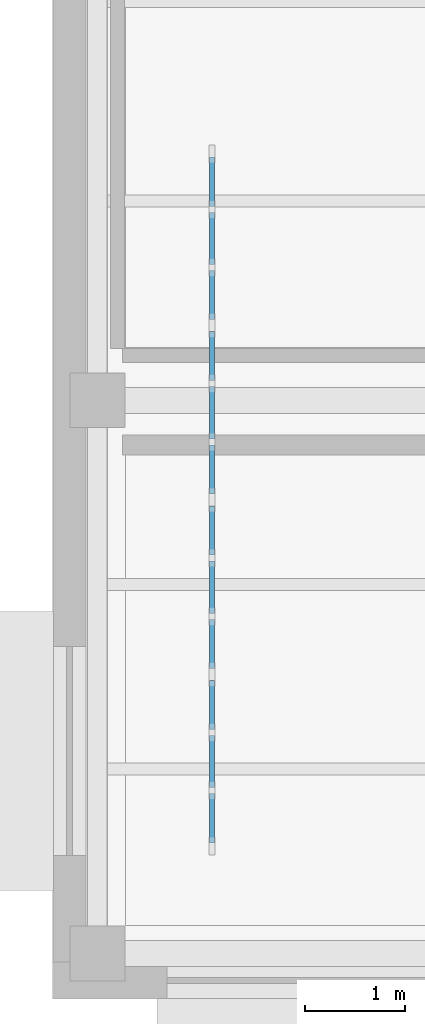
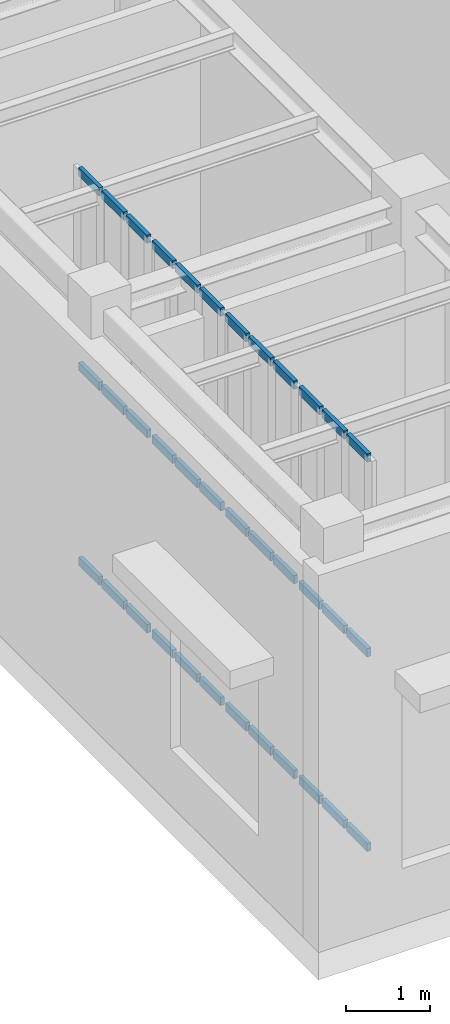
# One storey, part 51 of 118: 36 members, 4 elements without a shape of their own.
"""IFC4 building model written with IfcOpenShell, lengths in metres."""

from ifc_helpers import new_model, si_unit, direction, frame, origin, origin_2d, place, context, subcontext, project, spatial, rectangle, extrude, material, material_profile, profile_set, type_object, element, aggregate, save


model = new_model("IFC4")

# Units and contexts
model_context = context("Model", 3, precision=1e-05, world=origin(), true_north=direction((0.0, 1.0)))
body_context = subcontext(model_context, "Body", "Model", "MODEL_VIEW")
ifc_project = project(units=[si_unit("LENGTHUNIT", "METRE"), si_unit("AREAUNIT", "SQUARE_METRE"), si_unit("VOLUMEUNIT", "CUBIC_METRE"), si_unit("PLANEANGLEUNIT", "RADIAN"), si_unit("MASSUNIT", "GRAM", prefix="KILO")], contexts=[model_context])

# Site, building, storey
site_placement = place(None, origin())
site = spatial("IfcSite", under=ifc_project, at=site_placement, CompositionType="ELEMENT")
building_placement = place(site_placement, origin())
building = spatial("IfcBuilding", under=site, at=building_placement, Name="Kolvaren Corner Interchange", CompositionType="ELEMENT")
storey_placement = place(building_placement, origin())
storey = spatial("IfcBuildingStorey", under=building, at=storey_placement, Name="L01", CompositionType="ELEMENT", Elevation=0.0)

# Curtain wall, members
ifc_material_1 = material(Name="Unitised Aluminium and Solar-Control Glass Curtain Wall", Category="aluminium")
curtain_wall_type = type_object("IfcCurtainWallType", Name="CW-V5-LOGGIA", PredefinedType="NOTDEFINED", material=ifc_material_1)
curtain_wall_1_placement = place(storey_placement, origin())
curtain_wall_1 = element("IfcCurtainWall", 1, at=curtain_wall_1_placement, inside=storey, type_object=curtain_wall_type, Name="Corner Loggia L01 Curtain Wall Bay 01", PredefinedType="NOTDEFINED")
ifc_material_2 = material(Name="Anodised Aluminium Framing", Category="aluminium")
ifc_material_profile = material_profile(ifc_material_2, rectangle(XDim=0.054931640625, YDim=0.1201171875, at=origin_2d()), Name="ALU 55x120")
ifc_profile_set = profile_set([ifc_material_profile], Name="Anodised Aluminium Framing")
member_type = type_object("IfcMemberType", Name="TRN-ALU55x120", PredefinedType="USERDEFINED", material=ifc_profile_set)
member_1_placement = place(storey_placement, frame((1.60009765625, 1.56005859375, 0.027587890625), z_axis=(0.0, 1.0, 0.0), x_axis=(-1.0, 0.0, 0.0)))
member_1 = element("IfcMember", 2, at=member_1_placement, type_object=member_type, Name="CW-150 transom 1.1", ObjectType="TRANSOM", PredefinedType="USERDEFINED", context=body_context, shape_type="SweptSolid", body=[
    extrude(rectangle(XDim=0.054931640625, YDim=0.1201171875, at=origin_2d()), origin(), (0.0, 0.0, 1.0), 0.4931640625),
])
member_2_placement = place(storey_placement, frame((1.60009765625, 1.56005859375, 2.860107421875), z_axis=(0.0, 1.0, 0.0), x_axis=(-1.0, 0.0, 0.0)))
member_2 = element("IfcMember", 3, at=member_2_placement, type_object=member_type, Name="CW-150 transom 1.2", ObjectType="TRANSOM", PredefinedType="USERDEFINED", context=body_context, shape_type="SweptSolid", body=[
    extrude(rectangle(XDim=0.054931640625, YDim=0.1201171875, at=origin_2d()), origin(), (0.0, 0.0, 1.0), 0.4931640625),
])
member_3_placement = place(storey_placement, frame((1.60009765625, 1.56005859375, 5.6923828125), z_axis=(0.0, 1.0, 0.0), x_axis=(-1.0, 0.0, 0.0)))
member_3 = element("IfcMember", 4, at=member_3_placement, type_object=member_type, Name="CW-150 transom 1.3", ObjectType="TRANSOM", PredefinedType="USERDEFINED", context=body_context, shape_type="SweptSolid", body=[
    extrude(rectangle(XDim=0.054931640625, YDim=0.1201171875, at=origin_2d()), origin(), (0.0, 0.0, 1.0), 0.4931640625),
])
member_4_placement = place(storey_placement, frame((1.60009765625, 2.11328125, 0.027587890625), z_axis=(0.0, 1.0, 0.0), x_axis=(-1.0, 0.0, 0.0)))
member_4 = element("IfcMember", 5, at=member_4_placement, type_object=member_type, Name="CW-150 transom 2.1", ObjectType="TRANSOM", PredefinedType="USERDEFINED", context=body_context, shape_type="SweptSolid", body=[
    extrude(rectangle(XDim=0.054931640625, YDim=0.1201171875, at=origin_2d()), origin(), (0.0, 0.0, 1.0), 0.5234375),
])
member_5_placement = place(storey_placement, frame((1.60009765625, 2.11328125, 2.860107421875), z_axis=(0.0, 1.0, 0.0), x_axis=(-1.0, 0.0, 0.0)))
member_5 = element("IfcMember", 6, at=member_5_placement, type_object=member_type, Name="CW-150 transom 2.2", ObjectType="TRANSOM", PredefinedType="USERDEFINED", context=body_context, shape_type="SweptSolid", body=[
    extrude(rectangle(XDim=0.054931640625, YDim=0.1201171875, at=origin_2d()), origin(), (0.0, 0.0, 1.0), 0.5234375),
])
member_6_placement = place(storey_placement, frame((1.60009765625, 2.11328125, 5.6923828125), z_axis=(0.0, 1.0, 0.0), x_axis=(-1.0, 0.0, 0.0)))
member_6 = element("IfcMember", 7, at=member_6_placement, type_object=member_type, Name="CW-150 transom 2.3", ObjectType="TRANSOM", PredefinedType="USERDEFINED", context=body_context, shape_type="SweptSolid", body=[
    extrude(rectangle(XDim=0.054931640625, YDim=0.1201171875, at=origin_2d()), origin(), (0.0, 0.0, 1.0), 0.5234375),
])
member_7_placement = place(storey_placement, frame((1.60009765625, 2.69677734375, 0.027587890625), z_axis=(0.0, 1.0, 0.0), x_axis=(-1.0, 0.0, 0.0)))
member_7 = element("IfcMember", 8, at=member_7_placement, type_object=member_type, Name="CW-150 transom 3.1", ObjectType="TRANSOM", PredefinedType="USERDEFINED", context=body_context, shape_type="SweptSolid", body=[
    extrude(rectangle(XDim=0.054931640625, YDim=0.1201171875, at=origin_2d()), origin(), (0.0, 0.0, 1.0), 0.4931640625),
])
member_8_placement = place(storey_placement, frame((1.60009765625, 2.69677734375, 2.860107421875), z_axis=(0.0, 1.0, 0.0), x_axis=(-1.0, 0.0, 0.0)))
member_8 = element("IfcMember", 9, at=member_8_placement, type_object=member_type, Name="CW-150 transom 3.2", ObjectType="TRANSOM", PredefinedType="USERDEFINED", context=body_context, shape_type="SweptSolid", body=[
    extrude(rectangle(XDim=0.054931640625, YDim=0.1201171875, at=origin_2d()), origin(), (0.0, 0.0, 1.0), 0.4931640625),
])
member_9_placement = place(storey_placement, frame((1.60009765625, 2.69677734375, 5.6923828125), z_axis=(0.0, 1.0, 0.0), x_axis=(-1.0, 0.0, 0.0)))
member_9 = element("IfcMember", 10, at=member_9_placement, type_object=member_type, Name="CW-150 transom 3.3", ObjectType="TRANSOM", PredefinedType="USERDEFINED", context=body_context, shape_type="SweptSolid", body=[
    extrude(rectangle(XDim=0.054931640625, YDim=0.1201171875, at=origin_2d()), origin(), (0.0, 0.0, 1.0), 0.4931640625),
])
aggregate(curtain_wall_1, [member_1, member_2, member_3, member_4, member_5, member_6, member_7, member_8, member_9])

curtain_wall_2_placement = place(storey_placement, origin())
curtain_wall_2 = element("IfcCurtainWall", 11, at=curtain_wall_2_placement, inside=storey, type_object=curtain_wall_type, Name="Corner Loggia L01 Curtain Wall Bay 02", PredefinedType="NOTDEFINED")
member_10_placement = place(storey_placement, frame((1.60009765625, 3.31005859375, 0.027587890625), z_axis=(0.0, 1.0, 0.0), x_axis=(-1.0, 0.0, 0.0)))
member_10 = element("IfcMember", 12, at=member_10_placement, type_object=member_type, Name="CW-151 transom 1.1", ObjectType="TRANSOM", PredefinedType="USERDEFINED", context=body_context, shape_type="SweptSolid", body=[
    extrude(rectangle(XDim=0.054931640625, YDim=0.1201171875, at=origin_2d()), origin(), (0.0, 0.0, 1.0), 0.4931640625),
])
member_11_placement = place(storey_placement, frame((1.60009765625, 3.31005859375, 2.860107421875), z_axis=(0.0, 1.0, 0.0), x_axis=(-1.0, 0.0, 0.0)))
member_11 = element("IfcMember", 13, at=member_11_placement, type_object=member_type, Name="CW-151 transom 1.2", ObjectType="TRANSOM", PredefinedType="USERDEFINED", context=body_context, shape_type="SweptSolid", body=[
    extrude(rectangle(XDim=0.054931640625, YDim=0.1201171875, at=origin_2d()), origin(), (0.0, 0.0, 1.0), 0.4931640625),
])
member_12_placement = place(storey_placement, frame((1.60009765625, 3.31005859375, 5.6923828125), z_axis=(0.0, 1.0, 0.0), x_axis=(-1.0, 0.0, 0.0)))
member_12 = element("IfcMember", 14, at=member_12_placement, type_object=member_type, Name="CW-151 transom 1.3", ObjectType="TRANSOM", PredefinedType="USERDEFINED", context=body_context, shape_type="SweptSolid", body=[
    extrude(rectangle(XDim=0.054931640625, YDim=0.1201171875, at=origin_2d()), origin(), (0.0, 0.0, 1.0), 0.4931640625),
])
member_13_placement = place(storey_placement, frame((1.60009765625, 3.86328125, 0.027587890625), z_axis=(0.0, 1.0, 0.0), x_axis=(-1.0, 0.0, 0.0)))
member_13 = element("IfcMember", 15, at=member_13_placement, type_object=member_type, Name="CW-151 transom 2.1", ObjectType="TRANSOM", PredefinedType="USERDEFINED", context=body_context, shape_type="SweptSolid", body=[
    extrude(rectangle(XDim=0.054931640625, YDim=0.1201171875, at=origin_2d()), origin(), (0.0, 0.0, 1.0), 0.5234375),
])
member_14_placement = place(storey_placement, frame((1.60009765625, 3.86328125, 2.860107421875), z_axis=(0.0, 1.0, 0.0), x_axis=(-1.0, 0.0, 0.0)))
member_14 = element("IfcMember", 16, at=member_14_placement, type_object=member_type, Name="CW-151 transom 2.2", ObjectType="TRANSOM", PredefinedType="USERDEFINED", context=body_context, shape_type="SweptSolid", body=[
    extrude(rectangle(XDim=0.054931640625, YDim=0.1201171875, at=origin_2d()), origin(), (0.0, 0.0, 1.0), 0.5234375),
])
member_15_placement = place(storey_placement, frame((1.60009765625, 3.86328125, 5.6923828125), z_axis=(0.0, 1.0, 0.0), x_axis=(-1.0, 0.0, 0.0)))
member_15 = element("IfcMember", 17, at=member_15_placement, type_object=member_type, Name="CW-151 transom 2.3", ObjectType="TRANSOM", PredefinedType="USERDEFINED", context=body_context, shape_type="SweptSolid", body=[
    extrude(rectangle(XDim=0.054931640625, YDim=0.1201171875, at=origin_2d()), origin(), (0.0, 0.0, 1.0), 0.5234375),
])
member_16_placement = place(storey_placement, frame((1.60009765625, 4.44677734375, 0.027587890625), z_axis=(0.0, 1.0, 0.0), x_axis=(-1.0, 0.0, 0.0)))
member_16 = element("IfcMember", 18, at=member_16_placement, type_object=member_type, Name="CW-151 transom 3.1", ObjectType="TRANSOM", PredefinedType="USERDEFINED", context=body_context, shape_type="SweptSolid", body=[
    extrude(rectangle(XDim=0.054931640625, YDim=0.1201171875, at=origin_2d()), origin(), (0.0, 0.0, 1.0), 0.4931640625),
])
member_17_placement = place(storey_placement, frame((1.60009765625, 4.44677734375, 2.860107421875), z_axis=(0.0, 1.0, 0.0), x_axis=(-1.0, 0.0, 0.0)))
member_17 = element("IfcMember", 19, at=member_17_placement, type_object=member_type, Name="CW-151 transom 3.2", ObjectType="TRANSOM", PredefinedType="USERDEFINED", context=body_context, shape_type="SweptSolid", body=[
    extrude(rectangle(XDim=0.054931640625, YDim=0.1201171875, at=origin_2d()), origin(), (0.0, 0.0, 1.0), 0.4931640625),
])
member_18_placement = place(storey_placement, frame((1.60009765625, 4.44677734375, 5.6923828125), z_axis=(0.0, 1.0, 0.0), x_axis=(-1.0, 0.0, 0.0)))
member_18 = element("IfcMember", 20, at=member_18_placement, type_object=member_type, Name="CW-151 transom 3.3", ObjectType="TRANSOM", PredefinedType="USERDEFINED", context=body_context, shape_type="SweptSolid", body=[
    extrude(rectangle(XDim=0.054931640625, YDim=0.1201171875, at=origin_2d()), origin(), (0.0, 0.0, 1.0), 0.4931640625),
])
aggregate(curtain_wall_2, [member_10, member_11, member_12, member_13, member_14, member_15, member_16, member_17, member_18])

curtain_wall_3_placement = place(storey_placement, origin())
curtain_wall_3 = element("IfcCurtainWall", 21, at=curtain_wall_3_placement, inside=storey, type_object=curtain_wall_type, Name="Corner Loggia L01 Curtain Wall Bay 03", PredefinedType="NOTDEFINED")
member_19_placement = place(storey_placement, frame((1.60009765625, 5.06005859375, 0.027587890625), z_axis=(0.0, 1.0, 0.0), x_axis=(-1.0, 0.0, 0.0)))
member_19 = element("IfcMember", 22, at=member_19_placement, type_object=member_type, Name="CW-152 transom 1.1", ObjectType="TRANSOM", PredefinedType="USERDEFINED", context=body_context, shape_type="SweptSolid", body=[
    extrude(rectangle(XDim=0.054931640625, YDim=0.1201171875, at=origin_2d()), origin(), (0.0, 0.0, 1.0), 0.4931640625),
])
member_20_placement = place(storey_placement, frame((1.60009765625, 5.06005859375, 2.860107421875), z_axis=(0.0, 1.0, 0.0), x_axis=(-1.0, 0.0, 0.0)))
member_20 = element("IfcMember", 23, at=member_20_placement, type_object=member_type, Name="CW-152 transom 1.2", ObjectType="TRANSOM", PredefinedType="USERDEFINED", context=body_context, shape_type="SweptSolid", body=[
    extrude(rectangle(XDim=0.054931640625, YDim=0.1201171875, at=origin_2d()), origin(), (0.0, 0.0, 1.0), 0.4931640625),
])
member_21_placement = place(storey_placement, frame((1.60009765625, 5.06005859375, 5.6923828125), z_axis=(0.0, 1.0, 0.0), x_axis=(-1.0, 0.0, 0.0)))
member_21 = element("IfcMember", 24, at=member_21_placement, type_object=member_type, Name="CW-152 transom 1.3", ObjectType="TRANSOM", PredefinedType="USERDEFINED", context=body_context, shape_type="SweptSolid", body=[
    extrude(rectangle(XDim=0.054931640625, YDim=0.1201171875, at=origin_2d()), origin(), (0.0, 0.0, 1.0), 0.4931640625),
])
member_22_placement = place(storey_placement, frame((1.60009765625, 5.61328125, 0.027587890625), z_axis=(0.0, 1.0, 0.0), x_axis=(-1.0, 0.0, 0.0)))
member_22 = element("IfcMember", 25, at=member_22_placement, type_object=member_type, Name="CW-152 transom 2.1", ObjectType="TRANSOM", PredefinedType="USERDEFINED", context=body_context, shape_type="SweptSolid", body=[
    extrude(rectangle(XDim=0.054931640625, YDim=0.1201171875, at=origin_2d()), origin(), (0.0, 0.0, 1.0), 0.5234375),
])
member_23_placement = place(storey_placement, frame((1.60009765625, 5.61328125, 2.860107421875), z_axis=(0.0, 1.0, 0.0), x_axis=(-1.0, 0.0, 0.0)))
member_23 = element("IfcMember", 26, at=member_23_placement, type_object=member_type, Name="CW-152 transom 2.2", ObjectType="TRANSOM", PredefinedType="USERDEFINED", context=body_context, shape_type="SweptSolid", body=[
    extrude(rectangle(XDim=0.054931640625, YDim=0.1201171875, at=origin_2d()), origin(), (0.0, 0.0, 1.0), 0.5234375),
])
member_24_placement = place(storey_placement, frame((1.60009765625, 5.61328125, 5.6923828125), z_axis=(0.0, 1.0, 0.0), x_axis=(-1.0, 0.0, 0.0)))
member_24 = element("IfcMember", 27, at=member_24_placement, type_object=member_type, Name="CW-152 transom 2.3", ObjectType="TRANSOM", PredefinedType="USERDEFINED", context=body_context, shape_type="SweptSolid", body=[
    extrude(rectangle(XDim=0.054931640625, YDim=0.1201171875, at=origin_2d()), origin(), (0.0, 0.0, 1.0), 0.5234375),
])
member_25_placement = place(storey_placement, frame((1.60009765625, 6.19677734375, 0.027587890625), z_axis=(0.0, 1.0, 0.0), x_axis=(-1.0, 0.0, 0.0)))
member_25 = element("IfcMember", 28, at=member_25_placement, type_object=member_type, Name="CW-152 transom 3.1", ObjectType="TRANSOM", PredefinedType="USERDEFINED", context=body_context, shape_type="SweptSolid", body=[
    extrude(rectangle(XDim=0.054931640625, YDim=0.1201171875, at=origin_2d()), origin(), (0.0, 0.0, 1.0), 0.4931640625),
])
member_26_placement = place(storey_placement, frame((1.60009765625, 6.19677734375, 2.860107421875), z_axis=(0.0, 1.0, 0.0), x_axis=(-1.0, 0.0, 0.0)))
member_26 = element("IfcMember", 29, at=member_26_placement, type_object=member_type, Name="CW-152 transom 3.2", ObjectType="TRANSOM", PredefinedType="USERDEFINED", context=body_context, shape_type="SweptSolid", body=[
    extrude(rectangle(XDim=0.054931640625, YDim=0.1201171875, at=origin_2d()), origin(), (0.0, 0.0, 1.0), 0.4931640625),
])
member_27_placement = place(storey_placement, frame((1.60009765625, 6.19677734375, 5.6923828125), z_axis=(0.0, 1.0, 0.0), x_axis=(-1.0, 0.0, 0.0)))
member_27 = element("IfcMember", 30, at=member_27_placement, type_object=member_type, Name="CW-152 transom 3.3", ObjectType="TRANSOM", PredefinedType="USERDEFINED", context=body_context, shape_type="SweptSolid", body=[
    extrude(rectangle(XDim=0.054931640625, YDim=0.1201171875, at=origin_2d()), origin(), (0.0, 0.0, 1.0), 0.4931640625),
])
aggregate(curtain_wall_3, [member_19, member_20, member_21, member_22, member_23, member_24, member_25, member_26, member_27])

curtain_wall_4_placement = place(storey_placement, origin())
curtain_wall_4 = element("IfcCurtainWall", 31, at=curtain_wall_4_placement, inside=storey, type_object=curtain_wall_type, Name="Corner Loggia L01 Curtain Wall Bay 04", PredefinedType="NOTDEFINED")
member_28_placement = place(storey_placement, frame((1.60009765625, 6.81005859375, 0.027587890625), z_axis=(0.0, 1.0, 0.0), x_axis=(-1.0, 0.0, 0.0)))
member_28 = element("IfcMember", 32, at=member_28_placement, type_object=member_type, Name="CW-153 transom 1.1", ObjectType="TRANSOM", PredefinedType="USERDEFINED", context=body_context, shape_type="SweptSolid", body=[
    extrude(rectangle(XDim=0.054931640625, YDim=0.1201171875, at=origin_2d()), origin(), (0.0, 0.0, 1.0), 0.4931640625),
])
member_29_placement = place(storey_placement, frame((1.60009765625, 6.81005859375, 2.860107421875), z_axis=(0.0, 1.0, 0.0), x_axis=(-1.0, 0.0, 0.0)))
member_29 = element("IfcMember", 33, at=member_29_placement, type_object=member_type, Name="CW-153 transom 1.2", ObjectType="TRANSOM", PredefinedType="USERDEFINED", context=body_context, shape_type="SweptSolid", body=[
    extrude(rectangle(XDim=0.054931640625, YDim=0.1201171875, at=origin_2d()), origin(), (0.0, 0.0, 1.0), 0.4931640625),
])
member_30_placement = place(storey_placement, frame((1.60009765625, 6.81005859375, 5.6923828125), z_axis=(0.0, 1.0, 0.0), x_axis=(-1.0, 0.0, 0.0)))
member_30 = element("IfcMember", 34, at=member_30_placement, type_object=member_type, Name="CW-153 transom 1.3", ObjectType="TRANSOM", PredefinedType="USERDEFINED", context=body_context, shape_type="SweptSolid", body=[
    extrude(rectangle(XDim=0.054931640625, YDim=0.1201171875, at=origin_2d()), origin(), (0.0, 0.0, 1.0), 0.4931640625),
])
member_31_placement = place(storey_placement, frame((1.60009765625, 7.36328125, 0.027587890625), z_axis=(0.0, 1.0, 0.0), x_axis=(-1.0, 0.0, 0.0)))
member_31 = element("IfcMember", 35, at=member_31_placement, type_object=member_type, Name="CW-153 transom 2.1", ObjectType="TRANSOM", PredefinedType="USERDEFINED", context=body_context, shape_type="SweptSolid", body=[
    extrude(rectangle(XDim=0.054931640625, YDim=0.1201171875, at=origin_2d()), origin(), (0.0, 0.0, 1.0), 0.5234375),
])
member_32_placement = place(storey_placement, frame((1.60009765625, 7.36328125, 2.860107421875), z_axis=(0.0, 1.0, 0.0), x_axis=(-1.0, 0.0, 0.0)))
member_32 = element("IfcMember", 36, at=member_32_placement, type_object=member_type, Name="CW-153 transom 2.2", ObjectType="TRANSOM", PredefinedType="USERDEFINED", context=body_context, shape_type="SweptSolid", body=[
    extrude(rectangle(XDim=0.054931640625, YDim=0.1201171875, at=origin_2d()), origin(), (0.0, 0.0, 1.0), 0.5234375),
])
member_33_placement = place(storey_placement, frame((1.60009765625, 7.36328125, 5.6923828125), z_axis=(0.0, 1.0, 0.0), x_axis=(-1.0, 0.0, 0.0)))
member_33 = element("IfcMember", 37, at=member_33_placement, type_object=member_type, Name="CW-153 transom 2.3", ObjectType="TRANSOM", PredefinedType="USERDEFINED", context=body_context, shape_type="SweptSolid", body=[
    extrude(rectangle(XDim=0.054931640625, YDim=0.1201171875, at=origin_2d()), origin(), (0.0, 0.0, 1.0), 0.5234375),
])
member_34_placement = place(storey_placement, frame((1.60009765625, 7.94677734375, 0.027587890625), z_axis=(0.0, 1.0, 0.0), x_axis=(-1.0, 0.0, 0.0)))
member_34 = element("IfcMember", 38, at=member_34_placement, type_object=member_type, Name="CW-153 transom 3.1", ObjectType="TRANSOM", PredefinedType="USERDEFINED", context=body_context, shape_type="SweptSolid", body=[
    extrude(rectangle(XDim=0.054931640625, YDim=0.1201171875, at=origin_2d()), origin(), (0.0, 0.0, 1.0), 0.4931640625),
])
member_35_placement = place(storey_placement, frame((1.60009765625, 7.94677734375, 2.860107421875), z_axis=(0.0, 1.0, 0.0), x_axis=(-1.0, 0.0, 0.0)))
member_35 = element("IfcMember", 39, at=member_35_placement, type_object=member_type, Name="CW-153 transom 3.2", ObjectType="TRANSOM", PredefinedType="USERDEFINED", context=body_context, shape_type="SweptSolid", body=[
    extrude(rectangle(XDim=0.054931640625, YDim=0.1201171875, at=origin_2d()), origin(), (0.0, 0.0, 1.0), 0.4931640625),
])
member_36_placement = place(storey_placement, frame((1.60009765625, 7.94677734375, 5.6923828125), z_axis=(0.0, 1.0, 0.0), x_axis=(-1.0, 0.0, 0.0)))
member_36 = element("IfcMember", 40, at=member_36_placement, type_object=member_type, Name="CW-153 transom 3.3", ObjectType="TRANSOM", PredefinedType="USERDEFINED", context=body_context, shape_type="SweptSolid", body=[
    extrude(rectangle(XDim=0.054931640625, YDim=0.1201171875, at=origin_2d()), origin(), (0.0, 0.0, 1.0), 0.4931640625),
])
aggregate(curtain_wall_4, [member_28, member_29, member_30, member_31, member_32, member_33, member_34, member_35, member_36])

save(model, "model.ifc")
